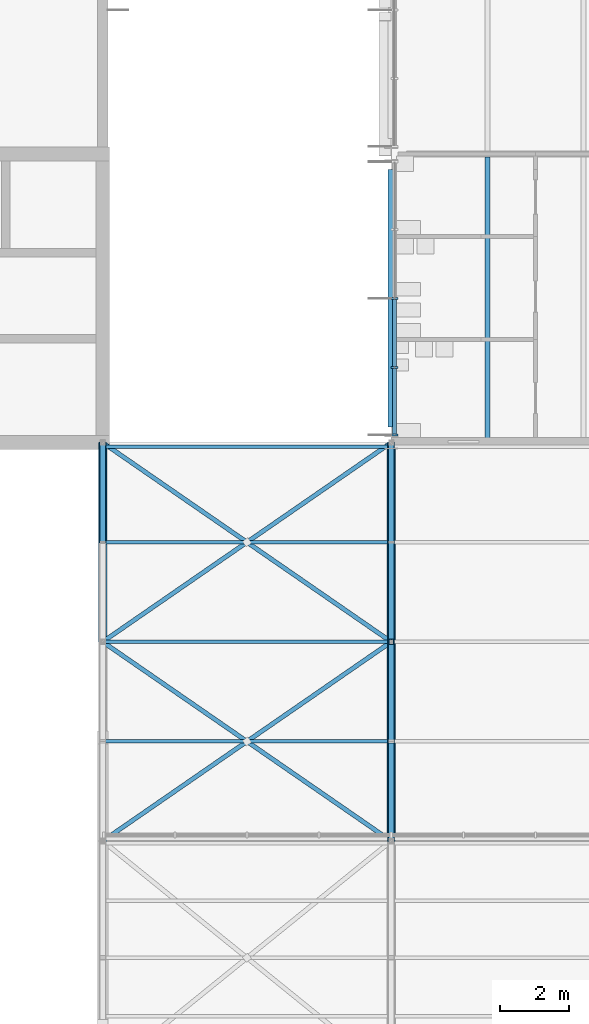
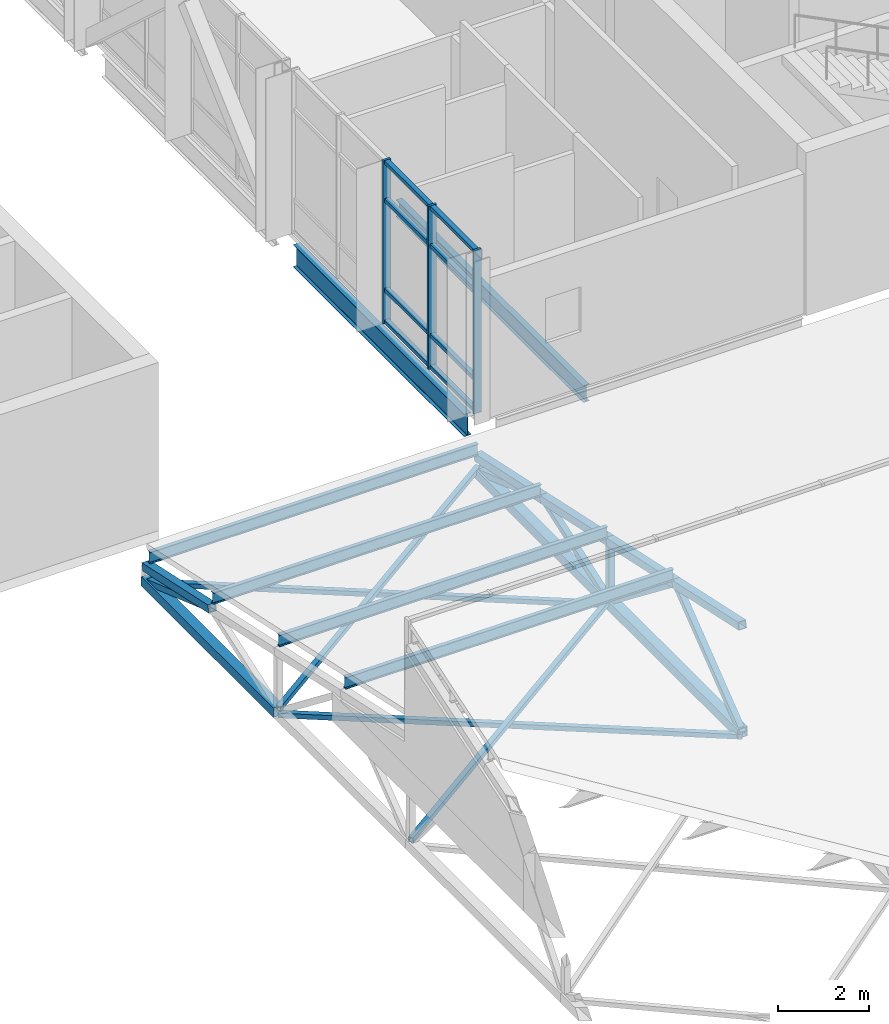
# One storey, part 20 of 89: 21 members, 14 beams, 1 element without a shape of its own.
"""IFC4 building model written with IfcOpenShell, lengths in metres."""

from ifc_helpers import new_model, si_unit, direction, frame, origin, origin_2d, place, context, subcontext, project, spatial, rectangle, hollow_rectangle, i_section, extrude, material, material_profile, profile_set, type_object, element, aggregate, save


model = new_model("IFC4")

# Units and contexts
model_context = context("Model", 3, precision=1e-05, world=origin(), true_north=direction((0.0, 1.0)))
body_context = subcontext(model_context, "Body", "Model", "MODEL_VIEW")
ifc_project = project(units=[si_unit("LENGTHUNIT", "METRE"), si_unit("AREAUNIT", "SQUARE_METRE"), si_unit("VOLUMEUNIT", "CUBIC_METRE"), si_unit("PLANEANGLEUNIT", "RADIAN"), si_unit("MASSUNIT", "GRAM", prefix="KILO")], contexts=[model_context])

# Site, building, storey
site_placement = place(None, origin())
site = spatial("IfcSite", under=ifc_project, at=site_placement, CompositionType="ELEMENT")
building_placement = place(site_placement, origin())
building = spatial("IfcBuilding", under=site, at=building_placement, Name="Hlaing Beacon Police Headquarters", CompositionType="ELEMENT")
storey_placement = place(building_placement, frame((0.0, 0.0, 9.89990234375)))
storey = spatial("IfcBuildingStorey", under=building, at=storey_placement, Name="L02", CompositionType="ELEMENT", Elevation=9.89990234375)

# Beam
ifc_material_1 = material(Name="Steel ASTM A992 Grade 50", Category="steel")
ifc_material_profile_1 = material_profile(ifc_material_1, i_section(OverallWidth=0.177978515625, OverallDepth=0.599365234375, WebThickness=0.010009765625, FlangeThickness=0.012939453125, FilletRadius=0.012939453125, at=origin_2d()), Name="W24x55")
ifc_profile_set_1 = profile_set([ifc_material_profile_1], Name="Steel ASTM A992 Grade 50")
beam_type_1 = type_object("IfcBeamType", Name="Girder W24x55", PredefinedType="BEAM", material=ifc_profile_set_1)
beam_1_placement = place(storey_placement, frame((100.800048828125, 34.050048828125, -0.4296875), z_axis=(0.0, 1.0, 0.0), x_axis=(-1.0, 0.0, 0.0)))
element("IfcBeam", 1, at=beam_1_placement, inside=storey, type_object=beam_type_1, Name="STR-BM-L02-GY-N5-N6", PredefinedType="BEAM", context=body_context, shape_type="SweptSolid", body=[
    extrude(i_section(OverallWidth=0.177978515625, OverallDepth=0.599365234375, WebThickness=0.010009765625, FlangeThickness=0.012939453125, FilletRadius=0.012939453125, at=origin_2d()), origin(), (0.0, 0.0, 1.0), 7.5),
])

# Curtain wall, members
ifc_material_2 = material(Name="Aluminium frame with solar control glazing", Category="aluminium")
curtain_wall_type = type_object("IfcCurtainWallType", Name="Unitised curtain wall 8.02 x 4.37", PredefinedType="NOTDEFINED", material=ifc_material_2)
curtain_wall_placement = place(storey_placement, origin())
curtain_wall = element("IfcCurtainWall", 2, at=curtain_wall_placement, inside=storey, type_object=curtain_wall_type, Name="ENV-CW-L02-W033", PredefinedType="NOTDEFINED")
ifc_material_3 = material(Name="Aluminium", Category="aluminium")
ifc_material_profile_2 = material_profile(ifc_material_3, rectangle(XDim=0.199951171875, YDim=0.06005859375, at=origin_2d()), Name="Mullion 60x200")
ifc_profile_set_2 = profile_set([ifc_material_profile_2], Name="Aluminium")
member_type_1 = type_object("IfcMemberType", Name="Mullion 60x200", PredefinedType="MULLION", material=ifc_profile_set_2)
member_1_placement = place(storey_placement, frame((100.89990234375, 37.797607421875, 0.0), z_axis=(0.0, 0.0, 1.0), x_axis=(1.0, 0.0, 0.0)))
member_1 = element("IfcMember", 3, at=member_1_placement, type_object=member_type_1, Name="CW-L02-W033 mullion 3", PredefinedType="MULLION", context=body_context, shape_type="SweptSolid", body=[
    extrude(rectangle(XDim=0.199951171875, YDim=0.06005859375, at=origin_2d()), origin(), (0.0, 0.0, 1.0), 4.3701171875),
])
member_2_placement = place(storey_placement, frame((100.89990234375, 35.792724609375, 0.0), z_axis=(0.0, 0.0, 1.0), x_axis=(1.0, 0.0, 0.0)))
member_2 = element("IfcMember", 4, at=member_2_placement, type_object=member_type_1, Name="CW-L02-W033 mullion 4", PredefinedType="MULLION", context=body_context, shape_type="SweptSolid", body=[
    extrude(rectangle(XDim=0.199951171875, YDim=0.06005859375, at=origin_2d()), origin(), (0.0, 0.0, 1.0), 4.3701171875),
])
member_3_placement = place(storey_placement, frame((100.89990234375, 33.818115234375, 0.0), z_axis=(0.0, 0.0, 1.0), x_axis=(1.0, 0.0, 0.0)))
member_3 = element("IfcMember", 5, at=member_3_placement, type_object=member_type_1, Name="CW-L02-W033 mullion 5", PredefinedType="MULLION", context=body_context, shape_type="SweptSolid", body=[
    extrude(rectangle(XDim=0.199951171875, YDim=0.06005859375, at=origin_2d()), origin(), (0.0, 0.0, 1.0), 4.3701171875),
])

# Members
ifc_material_4 = material(Name="Steel ASTM A500 Grade C", Category="steel")
ifc_material_profile_3 = material_profile(ifc_material_4, hollow_rectangle(XDim=0.126953125, YDim=0.126953125, WallThickness=0.009521484375, at=origin_2d()), Name="HSS5x5x3/8")
ifc_profile_set_3 = profile_set([ifc_material_profile_3], Name="Steel ASTM A500 Grade C")
member_type_2 = type_object("IfcMemberType", Name="Roof plan brace HSS5x5x3/8", PredefinedType="BRACE", material=ifc_profile_set_3)
for number, where, z_axis, x_axis, name in (
    (6, (92.39990234375, 22.0, -1.29931640625), (0.822899296848, 0.568187246642, 0.0), (-0.568187246642, 0.822899296848, 0.0), "STR-RT-V3-WB05"),
    (7, (100.800048828125, 22.0, -1.4462890625), (-0.822899296848, 0.568187246642, 0.0), (-0.568187246642, -0.822899296848, 0.0), "STR-RT-V3-WB06"),
    (8, (92.39990234375, 27.800048828125, -1.29931640625), (0.822899296848, 0.568187246642, 0.0), (-0.568187246642, 0.822899296848, 0.0), "STR-RT-V3-WB07"),
    (9, (100.800048828125, 27.800048828125, -1.4462890625), (-0.822899296848, 0.568187246642, 0.0), (-0.568187246642, -0.822899296848, 0.0), "STR-RT-V3-WB08"),
):
    element("IfcMember", number, at=place(storey_placement, frame(where, z_axis=z_axis, x_axis=x_axis)), inside=storey, type_object=member_type_2, Name=name, PredefinedType="BRACE", context=body_context, shape_type="SweptSolid", body=[
        extrude(hollow_rectangle(XDim=0.126953125, YDim=0.126953125, WallThickness=0.009521484375, at=origin_2d()), origin(), (0.0, 0.0, 1.0), 10.2080078125),
    ])

# Beams
ifc_material_5 = material(Name="Steel ASTM A992 Grade 50", Category="steel")
ifc_material_profile_4 = material_profile(ifc_material_5, i_section(OverallWidth=0.102294921875, OverallDepth=0.3125, WebThickness=0.006591796875, FlangeThickness=0.0107421875, FilletRadius=0.007568359375, at=origin_2d()), Name="W12x22")
ifc_profile_set_4 = profile_set([ifc_material_profile_4], Name="Steel ASTM A992 Grade 50")
beam_type_2 = type_object("IfcBeamType", Name="Roof purlin W12x22", PredefinedType="BEAM", material=ifc_profile_set_4)
for number, where, z_axis, x_axis, name in (
    (10, (92.39990234375, 24.89990234375, 1.154052734375), (1.0, 0.0, 0.0), (0.0, 1.0, 0.0), "STR-RT-V3-PR-R3-02-1"),
    (11, (92.39990234375, 27.800048828125, 0.529052734375), (1.0, 0.0, 0.0), (0.0, 1.0, 0.0), "STR-RT-V3-PR-R3-03-1"),
    (12, (92.39990234375, 30.699951171875, -0.095947265625), (1.0, 0.0, 0.0), (0.0, 1.0, 0.0), "STR-RT-V3-PR-R3-04-1"),
    (13, (92.39990234375, 33.477294921875, -0.6943359375), (1.0, 0.0, 0.0), (0.0, 1.0, 0.0), "STR-RT-V3-PR-R3-05-1"),
):
    element("IfcBeam", number, at=place(storey_placement, frame(where, z_axis=z_axis, x_axis=x_axis)), inside=storey, type_object=beam_type_2, Name=name, PredefinedType="BEAM", context=body_context, shape_type="SweptSolid", body=[
        extrude(i_section(OverallWidth=0.102294921875, OverallDepth=0.3125, WebThickness=0.006591796875, FlangeThickness=0.0107421875, FilletRadius=0.007568359375, at=origin_2d()), origin(), (0.0, 0.0, 1.0), 8.315185546875),
    ])
ifc_material_6 = material(Name="Steel ASTM A992 Grade 50", Category="steel")
ifc_material_profile_5 = material_profile(ifc_material_6, i_section(OverallWidth=0.15234375, OverallDepth=0.449462890625, WebThickness=0.007568359375, FlangeThickness=0.0107421875, FilletRadius=0.01025390625, at=origin_2d()), Name="W18x35")
ifc_profile_set_5 = profile_set([ifc_material_profile_5], Name="Steel ASTM A992 Grade 50")
beam_type_3 = type_object("IfcBeamType", Name="Secondary beam W18x35", PredefinedType="BEAM", material=ifc_profile_set_5)
beam_2_placement = place(storey_placement, frame((103.60009765625, 33.68896484375, -0.354736328125), z_axis=(0.0, 1.0, 0.0), x_axis=(-1.0, 0.0, 0.0)))
element("IfcBeam", 14, at=beam_2_placement, inside=storey, type_object=beam_type_3, Name="STR-BM-L02-SB-N5-y1", PredefinedType="BEAM", context=body_context, shape_type="SweptSolid", body=[
    extrude(i_section(OverallWidth=0.15234375, OverallDepth=0.449462890625, WebThickness=0.007568359375, FlangeThickness=0.0107421875, FilletRadius=0.01025390625, at=origin_2d()), origin(), (0.0, 0.0, 1.0), 8.221923828125),
])

# Member
ifc_material_7 = material(Name="Aluminium", Category="aluminium")
ifc_material_profile_6 = material_profile(ifc_material_7, rectangle(XDim=0.1201171875, YDim=0.10009765625, at=origin_2d()), Name="Transom 120x100")
ifc_profile_set_6 = profile_set([ifc_material_profile_6], Name="Aluminium")
member_type_3 = type_object("IfcMemberType", Name="Transom 120x100", PredefinedType="USERDEFINED", material=ifc_profile_set_6)
member_4_placement = place(storey_placement, frame((100.89990234375, 37.767578125, 0.050048828125), z_axis=(0.0, -1.0, 0.0), x_axis=(1.0, 0.0, 0.0)))
member_4 = element("IfcMember", 15, at=member_4_placement, type_object=member_type_3, Name="CW-L02-W033 transom 3.1", ObjectType="TRANSOM", PredefinedType="USERDEFINED", context=body_context, shape_type="SweptSolid", body=[
    extrude(rectangle(XDim=0.1201171875, YDim=0.10009765625, at=origin_2d()), origin(), (0.0, 0.0, 1.0), 1.94482421875),
])

member_5_placement = place(storey_placement, frame((100.89990234375, 37.767578125, 0.900146484375), z_axis=(0.0, -1.0, 0.0), x_axis=(1.0, 0.0, 0.0)))
member_5 = element("IfcMember", 16, at=member_5_placement, type_object=member_type_3, Name="CW-L02-W033 transom 3.2", ObjectType="TRANSOM", PredefinedType="USERDEFINED", context=body_context, shape_type="SweptSolid", body=[
    extrude(rectangle(XDim=0.1201171875, YDim=0.10009765625, at=origin_2d()), origin(), (0.0, 0.0, 1.0), 1.94482421875),
])

member_6_placement = place(storey_placement, frame((100.89990234375, 37.767578125, 3.300048828125), z_axis=(0.0, -1.0, 0.0), x_axis=(1.0, 0.0, 0.0)))
member_6 = element("IfcMember", 17, at=member_6_placement, type_object=member_type_3, Name="CW-L02-W033 transom 3.3", ObjectType="TRANSOM", PredefinedType="USERDEFINED", context=body_context, shape_type="SweptSolid", body=[
    extrude(rectangle(XDim=0.1201171875, YDim=0.10009765625, at=origin_2d()), origin(), (0.0, 0.0, 1.0), 1.94482421875),
])

member_7_placement = place(storey_placement, frame((100.89990234375, 37.767578125, 4.320068359375), z_axis=(0.0, -1.0, 0.0), x_axis=(1.0, 0.0, 0.0)))
member_7 = element("IfcMember", 18, at=member_7_placement, type_object=member_type_3, Name="CW-L02-W033 transom 3.4", ObjectType="TRANSOM", PredefinedType="USERDEFINED", context=body_context, shape_type="SweptSolid", body=[
    extrude(rectangle(XDim=0.1201171875, YDim=0.10009765625, at=origin_2d()), origin(), (0.0, 0.0, 1.0), 1.94482421875),
])

member_8_placement = place(storey_placement, frame((100.89990234375, 35.7626953125, 0.050048828125), z_axis=(0.0, -1.0, 0.0), x_axis=(1.0, 0.0, 0.0)))
member_8 = element("IfcMember", 19, at=member_8_placement, type_object=member_type_3, Name="CW-L02-W033 transom 4.1", ObjectType="TRANSOM", PredefinedType="USERDEFINED", context=body_context, shape_type="SweptSolid", body=[
    extrude(rectangle(XDim=0.1201171875, YDim=0.10009765625, at=origin_2d()), origin(), (0.0, 0.0, 1.0), 1.914794921875),
])

member_9_placement = place(storey_placement, frame((100.89990234375, 35.7626953125, 0.900146484375), z_axis=(0.0, -1.0, 0.0), x_axis=(1.0, 0.0, 0.0)))
member_9 = element("IfcMember", 20, at=member_9_placement, type_object=member_type_3, Name="CW-L02-W033 transom 4.2", ObjectType="TRANSOM", PredefinedType="USERDEFINED", context=body_context, shape_type="SweptSolid", body=[
    extrude(rectangle(XDim=0.1201171875, YDim=0.10009765625, at=origin_2d()), origin(), (0.0, 0.0, 1.0), 1.914794921875),
])

member_10_placement = place(storey_placement, frame((100.89990234375, 35.7626953125, 3.300048828125), z_axis=(0.0, -1.0, 0.0), x_axis=(1.0, 0.0, 0.0)))
member_10 = element("IfcMember", 21, at=member_10_placement, type_object=member_type_3, Name="CW-L02-W033 transom 4.3", ObjectType="TRANSOM", PredefinedType="USERDEFINED", context=body_context, shape_type="SweptSolid", body=[
    extrude(rectangle(XDim=0.1201171875, YDim=0.10009765625, at=origin_2d()), origin(), (0.0, 0.0, 1.0), 1.914794921875),
])

member_11_placement = place(storey_placement, frame((100.89990234375, 35.7626953125, 4.320068359375), z_axis=(0.0, -1.0, 0.0), x_axis=(1.0, 0.0, 0.0)))
member_11 = element("IfcMember", 22, at=member_11_placement, type_object=member_type_3, Name="CW-L02-W033 transom 4.4", ObjectType="TRANSOM", PredefinedType="USERDEFINED", context=body_context, shape_type="SweptSolid", body=[
    extrude(rectangle(XDim=0.1201171875, YDim=0.10009765625, at=origin_2d()), origin(), (0.0, 0.0, 1.0), 1.914794921875),
])

aggregate(curtain_wall, [member_1, member_2, member_3, member_4, member_5, member_6, member_7, member_8, member_9, member_10, member_11])

# Beams
ifc_material_8 = material(Name="Steel ASTM A500 Grade C", Category="steel")
ifc_material_profile_7 = material_profile(ifc_material_8, hollow_rectangle(XDim=0.25390625, YDim=0.25390625, WallThickness=0.0126953125, at=origin_2d()), Name="HSS10x10x1/2")
ifc_profile_set_7 = profile_set([ifc_material_profile_7], Name="Steel ASTM A500 Grade C")
beam_type_4 = type_object("IfcBeamType", Name="Truss bottom chord HSS10x10x1/2", PredefinedType="BEAM", material=ifc_profile_set_7)
for number, where, z_axis, x_axis, name in (
    (23, (92.39990234375, 27.800048828125, -1.372802734375), (0.0, 1.0, 0.0), (-1.0, 0.0, 0.0), "STR-RT-V3-T1-BC04"),
    (24, (100.800048828125, 22.0, -1.372802734375), (0.0, 1.0, 0.0), (-1.0, 0.0, 0.0), "STR-RT-V3-T2-BC03"),
    (25, (100.800048828125, 27.800048828125, -1.372802734375), (0.0, 1.0, 0.0), (-1.0, 0.0, 0.0), "STR-RT-V3-T2-BC04"),
):
    element("IfcBeam", number, at=place(storey_placement, frame(where, z_axis=z_axis, x_axis=x_axis)), inside=storey, type_object=beam_type_4, Name=name, PredefinedType="BEAM", context=body_context, shape_type="SweptSolid", body=[
        extrude(hollow_rectangle(XDim=0.25390625, YDim=0.25390625, WallThickness=0.0126953125, at=origin_2d()), origin(), (0.0, 0.0, 1.0), 5.800048828125),
    ])

# Member
ifc_material_9 = material(Name="Steel ASTM A500 Grade C", Category="steel")
ifc_material_profile_8 = material_profile(ifc_material_9, hollow_rectangle(XDim=0.15234375, YDim=0.15234375, WallThickness=0.0126953125, at=origin_2d()), Name="HSS6x6x1/2")
ifc_profile_set_8 = profile_set([ifc_material_profile_8], Name="Steel ASTM A500 Grade C")
member_type_4 = type_object("IfcMemberType", Name="Truss post HSS6x6x1/2", PredefinedType="POST", material=ifc_profile_set_8)
member_12_placement = place(storey_placement, frame((100.800048828125, 27.800048828125, -1.372802734375), z_axis=(0.0, 0.0, 1.0), x_axis=(1.0, 0.0, 0.0)))
element("IfcMember", 26, at=member_12_placement, inside=storey, type_object=member_type_4, Name="STR-RT-V3-T2-PS04", PredefinedType="POST", context=body_context, shape_type="SweptSolid", body=[
    extrude(hollow_rectangle(XDim=0.15234375, YDim=0.15234375, WallThickness=0.0126953125, at=origin_2d()), origin(), (0.0, 0.0, 1.0), 1.631103515625),
])

# Beams
ifc_material_10 = material(Name="Steel ASTM A500 Grade C", Category="steel")
ifc_material_profile_9 = material_profile(ifc_material_10, hollow_rectangle(XDim=0.203125, YDim=0.203125, WallThickness=0.015869140625, at=origin_2d()), Name="HSS8x8x5/8")
ifc_profile_set_9 = profile_set([ifc_material_profile_9], Name="Steel ASTM A500 Grade C")
beam_type_5 = type_object("IfcBeamType", Name="Truss top chord HSS8x8x5/8", PredefinedType="BEAM", material=ifc_profile_set_9)
beam_3_placement = place(storey_placement, frame((92.39990234375, 30.699951171875, -0.36669921875), z_axis=(0.0, 0.977557278415, -0.210669806612), x_axis=(-1.0, 0.0, 0.0)))
element("IfcBeam", 27, at=beam_3_placement, inside=storey, type_object=beam_type_5, Name="STR-RT-V3-T1-TC09", PredefinedType="BEAM", context=body_context, shape_type="SweptSolid", body=[
    extrude(hollow_rectangle(XDim=0.203125, YDim=0.203125, WallThickness=0.015869140625, at=origin_2d()), origin(), (0.0, 0.0, 1.0), 2.966796875),
])
beam_4_placement = place(storey_placement, frame((100.800048828125, 22.0, 1.50830078125), z_axis=(0.0, 0.97755362567, -0.21068675549), x_axis=(-1.0, 0.0, 0.0)))
element("IfcBeam", 28, at=beam_4_placement, inside=storey, type_object=beam_type_5, Name="STR-RT-V3-T2-TC06", PredefinedType="BEAM", context=body_context, shape_type="SweptSolid", body=[
    extrude(hollow_rectangle(XDim=0.203125, YDim=0.203125, WallThickness=0.015869140625, at=origin_2d()), origin(), (0.0, 0.0, 1.0), 2.966552734375),
])
beam_5_placement = place(storey_placement, frame((100.800048828125, 24.89990234375, 0.88330078125), z_axis=(0.0, 0.977557278415, -0.210669806612), x_axis=(-1.0, 0.0, 0.0)))
element("IfcBeam", 29, at=beam_5_placement, inside=storey, type_object=beam_type_5, Name="STR-RT-V3-T2-TC07", PredefinedType="BEAM", context=body_context, shape_type="SweptSolid", body=[
    extrude(hollow_rectangle(XDim=0.203125, YDim=0.203125, WallThickness=0.015869140625, at=origin_2d()), origin(), (0.0, 0.0, 1.0), 2.966796875),
])
beam_6_placement = place(storey_placement, frame((100.800048828125, 27.800048828125, 0.25830078125), z_axis=(0.0, 0.97755362567, -0.21068675549), x_axis=(-1.0, 0.0, 0.0)))
element("IfcBeam", 30, at=beam_6_placement, inside=storey, type_object=beam_type_5, Name="STR-RT-V3-T2-TC08", PredefinedType="BEAM", context=body_context, shape_type="SweptSolid", body=[
    extrude(hollow_rectangle(XDim=0.203125, YDim=0.203125, WallThickness=0.015869140625, at=origin_2d()), origin(), (0.0, 0.0, 1.0), 2.966552734375),
])
beam_7_placement = place(storey_placement, frame((100.800048828125, 30.699951171875, -0.36669921875), z_axis=(0.0, 0.977557278415, -0.210669806612), x_axis=(-1.0, 0.0, 0.0)))
element("IfcBeam", 31, at=beam_7_placement, inside=storey, type_object=beam_type_5, Name="STR-RT-V3-T2-TC09", PredefinedType="BEAM", context=body_context, shape_type="SweptSolid", body=[
    extrude(hollow_rectangle(XDim=0.203125, YDim=0.203125, WallThickness=0.015869140625, at=origin_2d()), origin(), (0.0, 0.0, 1.0), 2.966796875),
])

# Members
ifc_material_11 = material(Name="Steel ASTM A500 Grade C", Category="steel")
ifc_material_profile_10 = material_profile(ifc_material_11, hollow_rectangle(XDim=0.15234375, YDim=0.15234375, WallThickness=0.009521484375, at=origin_2d()), Name="HSS6x6x3/8")
ifc_profile_set_10 = profile_set([ifc_material_profile_10], Name="Steel ASTM A500 Grade C")
member_type_5 = type_object("IfcMemberType", Name="Truss web HSS6x6x3/8", PredefinedType="BRACE", material=ifc_profile_set_10)
member_13_placement = place(storey_placement, frame((92.39990234375, 30.699951171875, -0.36669921875), z_axis=(0.0, 0.944763648383, -0.327752419815), x_axis=(-1.0, 0.0, 0.0)))
element("IfcMember", 32, at=member_13_placement, inside=storey, type_object=member_type_5, Name="STR-RT-V3-T1-DG08", PredefinedType="BRACE", context=body_context, shape_type="SweptSolid", body=[
    extrude(hollow_rectangle(XDim=0.15234375, YDim=0.15234375, WallThickness=0.009521484375, at=origin_2d()), origin(), (0.0, 0.0, 1.0), 3.06982421875),
])
member_14_placement = place(storey_placement, frame((100.800048828125, 22.0, -1.372802734375), z_axis=(0.0, 0.789269916933, 0.614046413738), x_axis=(-1.0, 0.0, 0.0)))
element("IfcMember", 33, at=member_14_placement, inside=storey, type_object=member_type_5, Name="STR-RT-V3-T2-DG05", PredefinedType="BRACE", context=body_context, shape_type="SweptSolid", body=[
    extrude(hollow_rectangle(XDim=0.15234375, YDim=0.15234375, WallThickness=0.009521484375, at=origin_2d()), origin(), (0.0, 0.0, 1.0), 3.674072265625),
])
member_15_placement = place(storey_placement, frame((100.800048828125, 24.89990234375, 0.88330078125), z_axis=(0.0, 0.789294969398, -0.614014210978), x_axis=(-1.0, 0.0, 0.0)))
element("IfcMember", 34, at=member_15_placement, inside=storey, type_object=member_type_5, Name="STR-RT-V3-T2-DG06", PredefinedType="BRACE", context=body_context, shape_type="SweptSolid", body=[
    extrude(hollow_rectangle(XDim=0.15234375, YDim=0.15234375, WallThickness=0.009521484375, at=origin_2d()), origin(), (0.0, 0.0, 1.0), 3.67431640625),
])
member_16_placement = place(storey_placement, frame((100.800048828125, 27.800048828125, -1.372802734375), z_axis=(0.0, 0.944755103934, 0.327777048603), x_axis=(-1.0, 0.0, 0.0)))
element("IfcMember", 35, at=member_16_placement, inside=storey, type_object=member_type_5, Name="STR-RT-V3-T2-DG07", PredefinedType="BRACE", context=body_context, shape_type="SweptSolid", body=[
    extrude(hollow_rectangle(XDim=0.15234375, YDim=0.15234375, WallThickness=0.009521484375, at=origin_2d()), origin(), (0.0, 0.0, 1.0), 3.069580078125),
])
member_17_placement = place(storey_placement, frame((100.800048828125, 30.699951171875, -0.36669921875), z_axis=(0.0, 0.944763648383, -0.327752419815), x_axis=(-1.0, 0.0, 0.0)))
element("IfcMember", 36, at=member_17_placement, inside=storey, type_object=member_type_5, Name="STR-RT-V3-T2-DG08", PredefinedType="BRACE", context=body_context, shape_type="SweptSolid", body=[
    extrude(hollow_rectangle(XDim=0.15234375, YDim=0.15234375, WallThickness=0.009521484375, at=origin_2d()), origin(), (0.0, 0.0, 1.0), 3.06982421875),
])

save(model, "model.ifc")
